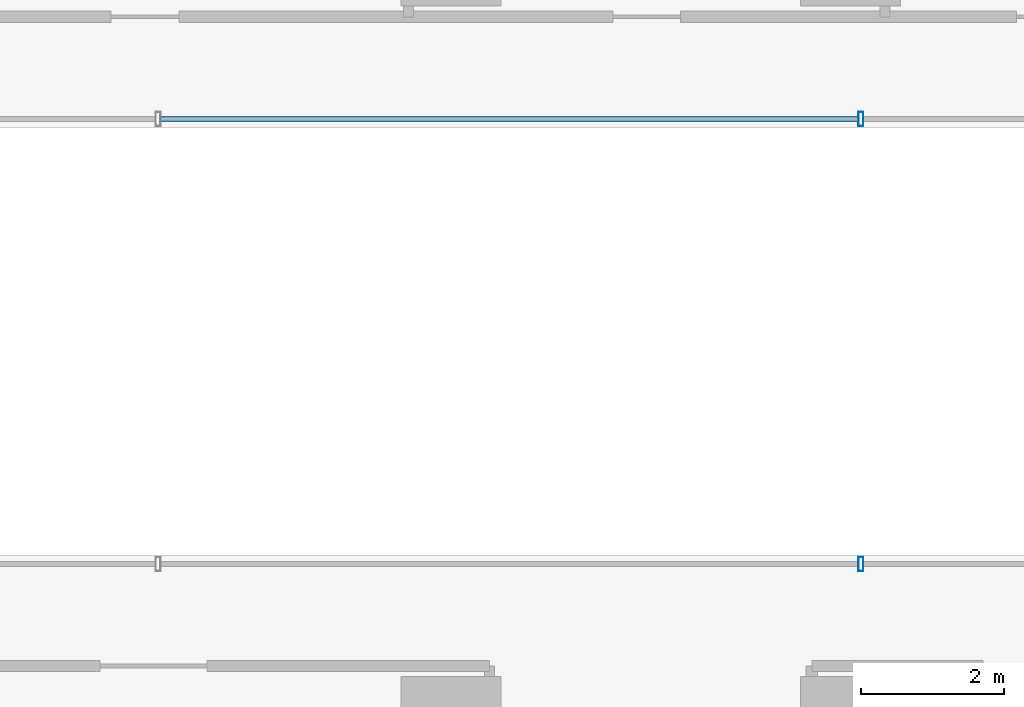
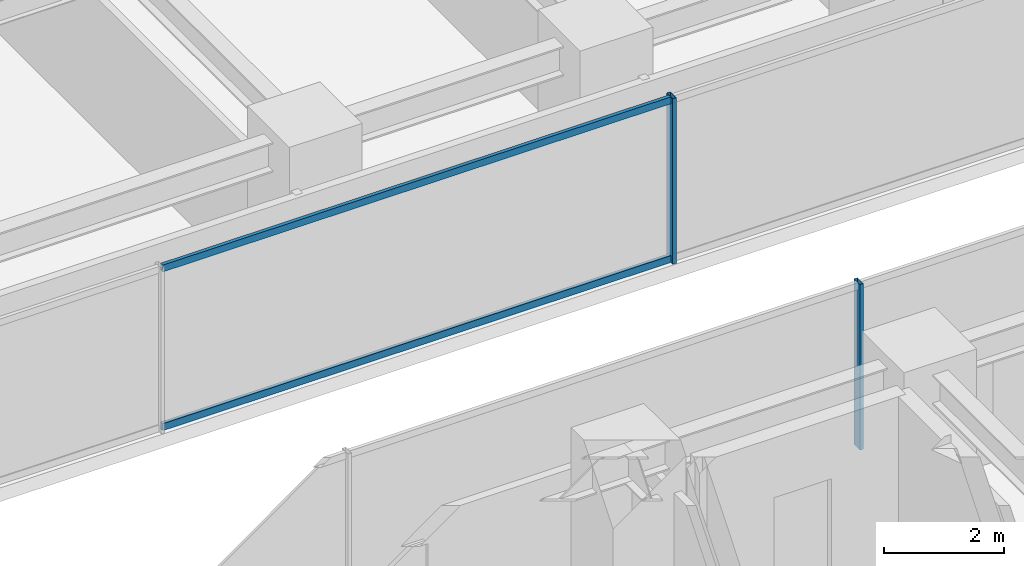
# One storey, part 10 of 35: 4 members, 2 elements without a shape of their own.
"""IFC4 building model written with IfcOpenShell, lengths in metres."""

from ifc_helpers import new_model, si_unit, direction, frame, origin, origin_2d, place, context, subcontext, project, spatial, hollow_rectangle, extrude, source, transform, mapped, material, material_profile, profile_set, type_object, element, aggregate, save


model = new_model("IFC4")

# Units and contexts
model_context = context("Model", 3, precision=1e-05, world=origin(), true_north=direction((0.0, 1.0)))
body_context = subcontext(model_context, "Body", "Model", "MODEL_VIEW")
ifc_project = project(units=[si_unit("LENGTHUNIT", "METRE"), si_unit("AREAUNIT", "SQUARE_METRE"), si_unit("VOLUMEUNIT", "CUBIC_METRE"), si_unit("PLANEANGLEUNIT", "RADIAN"), si_unit("MASSUNIT", "GRAM", prefix="KILO")], contexts=[model_context])

# Site, building, storey
site_placement = place(None, origin())
site = spatial("IfcSite", under=ifc_project, at=site_placement, CompositionType="ELEMENT")
building_placement = place(site_placement, origin())
building = spatial("IfcBuilding", under=site, at=building_placement, Name="Nahalor Promenade Grand Hotel", CompositionType="ELEMENT")
storey_placement = place(building_placement, frame((0.0, 0.0, 43.35009765625)))
storey = spatial("IfcBuildingStorey", under=building, at=storey_placement, Name="L09", CompositionType="ELEMENT", Elevation=43.35009765625)

# Curtain wall, member
ifc_material = material(Name="Anodised Bronze Aluminium EN AW-6063 T6", Category="aluminium")
curtain_wall_type = type_object("IfcCurtainWallType", Name="CW3 Elliptical-Void Collar Unitised Curtain Wall", PredefinedType="USERDEFINED", material=ifc_material)
curtain_wall_1_placement = place(storey_placement, origin())
curtain_wall_1 = element("IfcCurtainWall", 1, at=curtain_wall_1_placement, inside=storey, type_object=curtain_wall_type, Name="L09 Curtain Wall CW-L09-VOID-WS1", ObjectType="UNITISED_CURTAIN_WALL", PredefinedType="USERDEFINED")
ifc_material_profile_1 = material_profile(ifc_material, hollow_rectangle(XDim=0.07, YDim=0.2, WallThickness=0.005, at=origin_2d()), Name="CWM 70x200x5")
ifc_profile_set_1 = profile_set([ifc_material_profile_1], Name="Anodised Bronze Aluminium EN AW-6063 T6")
member_type_1 = type_object("IfcMemberType", Name="CWM3 Void Collar Mullion 70x200", PredefinedType="MULLION", material=ifc_profile_set_1)
shared_shape_1 = source(origin(), body_context, "Body", "SweptSolid", [
    extrude(hollow_rectangle(XDim=0.07, YDim=0.2, WallThickness=0.005, at=origin_2d()), origin(), (0.0, 0.0, 1.0), 3.369873046875),
])
member_1_placement = place(storey_placement, frame((-2.6533203125, -3.118896484375, 0.0), z_axis=(0.0, 0.0, 1.0), x_axis=(1.0, 0.0, 0.0)))
member_1 = element("IfcMember", 2, at=member_1_placement, type_object=member_type_1, Name="CW-L09-VOID-WS1 Mullion 2", PredefinedType="MULLION", context=body_context, shape_type="MappedRepresentation", body=[
    mapped(shared_shape_1, transform((0.0, 0.0, 0.0), scale=1.0)),
])
aggregate(curtain_wall_1, [member_1])

# Curtain wall, members
curtain_wall_2_placement = place(storey_placement, origin())
curtain_wall_2 = element("IfcCurtainWall", 3, at=curtain_wall_2_placement, inside=storey, type_object=curtain_wall_type, Name="L09 Curtain Wall CW-L09-VOID-WN1", ObjectType="UNITISED_CURTAIN_WALL", PredefinedType="USERDEFINED")
member_2_placement = place(storey_placement, frame((-2.6533203125, 3.118896484375, 0.0), z_axis=(0.0, 0.0, 1.0), x_axis=(1.0, 0.0, 0.0)))
member_2 = element("IfcMember", 4, at=member_2_placement, type_object=member_type_1, Name="CW-L09-VOID-WN1 Mullion 2", PredefinedType="MULLION", context=body_context, shape_type="MappedRepresentation", body=[
    mapped(shared_shape_1, transform((0.0, 0.0, 0.0), scale=1.0)),
])
ifc_material_profile_2 = material_profile(ifc_material, hollow_rectangle(XDim=0.07, YDim=0.14, WallThickness=0.004, at=origin_2d()), Name="CWT 70x140x4")
ifc_profile_set_2 = profile_set([ifc_material_profile_2], Name="Anodised Bronze Aluminium EN AW-6063 T6")
member_type_2 = type_object("IfcMemberType", Name="CWT3 Void Collar Transom 70x140", PredefinedType="USERDEFINED", material=ifc_profile_set_2)
shared_shape_2 = source(origin(), body_context, "Body", "SweptSolid", [
    extrude(hollow_rectangle(XDim=0.07, YDim=0.14, WallThickness=0.004, at=origin_2d()), origin(), (0.0, 0.0, 1.0), 9.783447265625),
])
member_3_placement = place(storey_placement, frame((-12.4716796875, 3.118896484375, 0.06982421875), z_axis=(1.0, 0.0, 0.0), x_axis=(0.0, 1.0, 0.0)))
member_3 = element("IfcMember", 5, at=member_3_placement, type_object=member_type_2, Name="CW-L09-VOID-WN1 Transom 1-0", ObjectType="TRANSOM", PredefinedType="USERDEFINED", context=body_context, shape_type="MappedRepresentation", body=[
    mapped(shared_shape_2, transform((0.0, 0.0, 0.0), scale=1.0)),
])
member_4_placement = place(storey_placement, frame((-12.4716796875, 3.118896484375, 3.2998046875), z_axis=(1.0, 0.0, 0.0), x_axis=(0.0, 1.0, 0.0)))
member_4 = element("IfcMember", 6, at=member_4_placement, type_object=member_type_2, Name="CW-L09-VOID-WN1 Transom 1-1", ObjectType="TRANSOM", PredefinedType="USERDEFINED", context=body_context, shape_type="MappedRepresentation", body=[
    mapped(shared_shape_2, transform((0.0, 0.0, 0.0), scale=1.0)),
])
aggregate(curtain_wall_2, [member_2, member_3, member_4])

save(model, "model.ifc")
